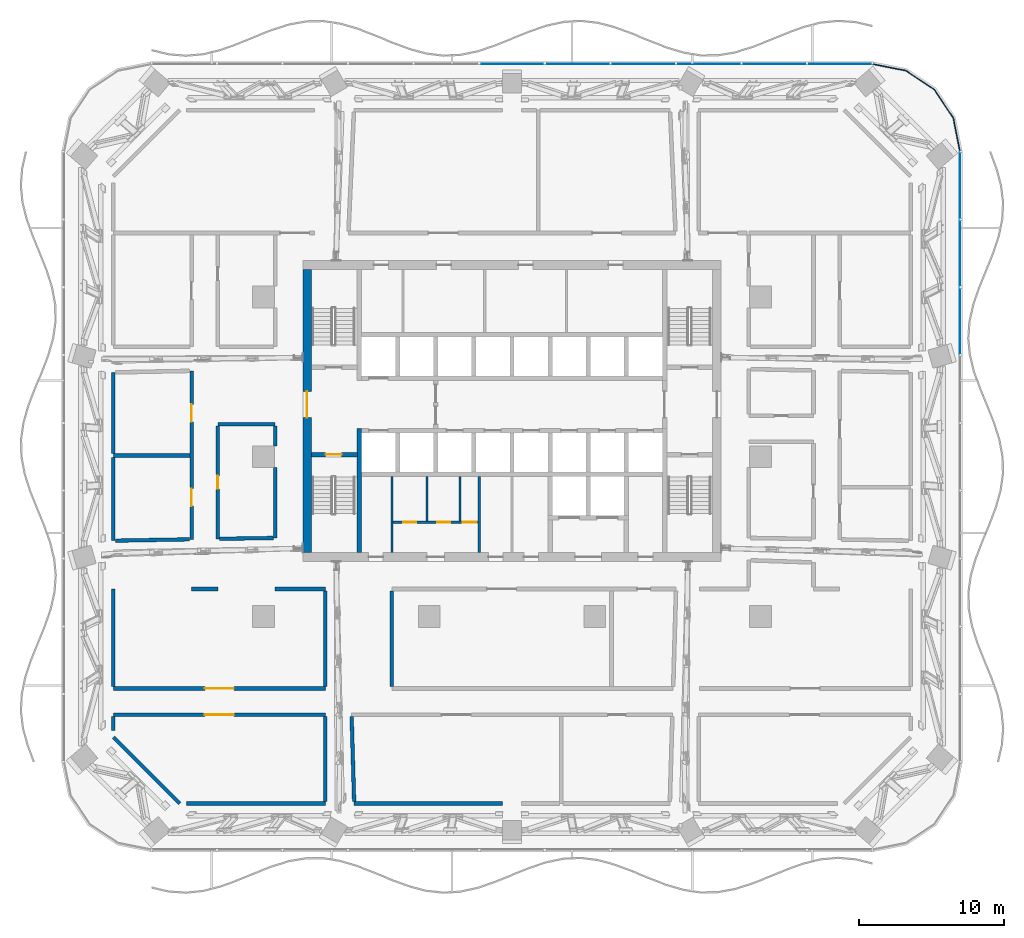
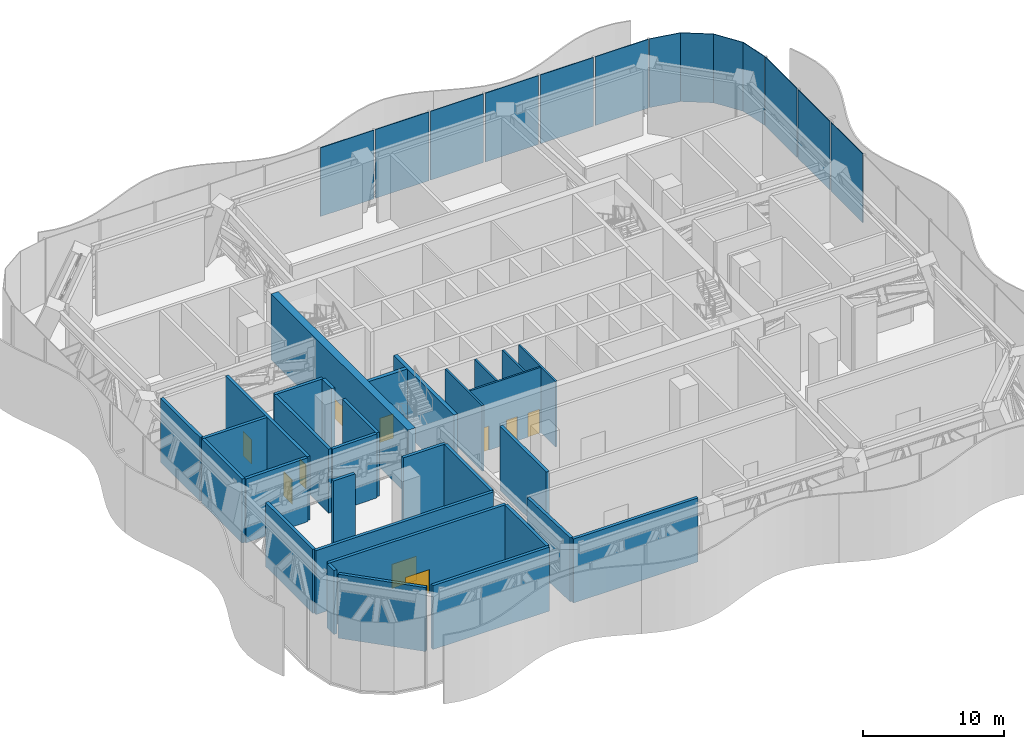
# One storey, part 10 of 32: 31 walls, 10 doors, 10 plates, 10 openings, 3 elements without a shape of their own.
"""IFC4 building model written with IfcOpenShell, lengths in metres."""

from ifc_helpers import new_model, si_unit, direction, frame, frame_2d, origin, origin_2d, place, context, subcontext, project, spatial, polyline, rectangle, outline, extrude, material, layer, layer_set, type_object, element, fill, aggregate, save


model = new_model("IFC4")

# Units and contexts
model_context = context("Model", 3, precision=1e-05, world=origin(), true_north=direction((0.0, 1.0)))
body_context = subcontext(model_context, "Body", "Model", "MODEL_VIEW")
ifc_project = project(units=[si_unit("LENGTHUNIT", "METRE"), si_unit("AREAUNIT", "SQUARE_METRE"), si_unit("VOLUMEUNIT", "CUBIC_METRE"), si_unit("PLANEANGLEUNIT", "RADIAN"), si_unit("MASSUNIT", "GRAM", prefix="KILO")], contexts=[model_context])

# Site, building, storey
site_placement = place(None, origin())
site = spatial("IfcSite", under=ifc_project, at=site_placement, CompositionType="ELEMENT")
building_placement = place(site_placement, origin())
building = spatial("IfcBuilding", under=site, at=building_placement, Name="Mopane Tessera Tower", CompositionType="ELEMENT")
storey_placement = place(building_placement, frame((0.0, 0.0, 88.60009765625)))
storey = spatial("IfcBuildingStorey", under=building, at=storey_placement, Name="L17", CompositionType="ELEMENT", Elevation=88.60009765625)

# Curtain wall, plates
ifc_material_1 = material(Name="Aluminium frame", Category="aluminium")
curtain_wall_type = type_object("IfcCurtainWallType", Name="Plant floor unitised wall", PredefinedType="NOTDEFINED", material=ifc_material_1)
curtain_wall_1_placement = place(storey_placement, origin())
curtain_wall_1 = element("IfcCurtainWall", 1, at=curtain_wall_1_placement, inside=storey, type_object=curtain_wall_type, Name="e:cw:L17:E:0", PredefinedType="NOTDEFINED")
ifc_material_2 = material(Name="Limestone spandrel", Category="masonry")
ifc_layer_1 = layer(ifc_material_2, 0.06005859375)
ifc_layer_set_1 = layer_set([ifc_layer_1], Name="Limestone spandrel")
plate_type = type_object("IfcPlateType", Name="Stone spandrel unit", PredefinedType="CURTAIN_PANEL", material=ifc_layer_set_1)
plate_1_placement = place(storey_placement, frame((30.830078125, 9.333251953125, -0.419921875), z_axis=(0.0, 0.0, 1.0), x_axis=(0.0, 1.0, 0.0)))
plate_1 = element("IfcPlate", 2, at=plate_1_placement, type_object=plate_type, Name="e:cw:L17:E:0:pn6", PredefinedType="CURTAIN_PANEL", context=body_context, shape_type="SweptSolid", body=[
    extrude(rectangle(XDim=4.526611328125, YDim=0.06005859375, at=origin_2d()), origin(), (0.0, 0.0, 1.0), 5.969970703125),
])
plate_2_placement = place(storey_placement, frame((30.830078125, 14.0, -0.419921875), z_axis=(0.0, 0.0, 1.0), x_axis=(0.0, 1.0, 0.0)))
plate_2 = element("IfcPlate", 3, at=plate_2_placement, type_object=plate_type, Name="e:cw:L17:E:0:pn7", PredefinedType="CURTAIN_PANEL", context=body_context, shape_type="SweptSolid", body=[
    extrude(rectangle(XDim=4.526611328125, YDim=0.06005859375, at=origin_2d()), origin(), (0.0, 0.0, 1.0), 5.969970703125),
])
plate_3_placement = place(storey_placement, frame((30.830078125, 18.666748046875, -0.419921875), z_axis=(0.0, 0.0, 1.0), x_axis=(0.0, 1.0, 0.0)))
plate_3 = element("IfcPlate", 4, at=plate_3_placement, type_object=plate_type, Name="e:cw:L17:E:0:pn8", PredefinedType="CURTAIN_PANEL", context=body_context, shape_type="SweptSolid", body=[
    extrude(rectangle(XDim=4.526611328125, YDim=0.06005859375, at=origin_2d()), origin(), (0.0, 0.0, 1.0), 5.969970703125),
])
aggregate(curtain_wall_1, [plate_1, plate_2, plate_3])

# Curtain wall, plate
curtain_wall_2_placement = place(storey_placement, origin())
curtain_wall_2 = element("IfcCurtainWall", 5, at=curtain_wall_2_placement, inside=storey, type_object=curtain_wall_type, Name="e:cw:L17:CE", PredefinedType="NOTDEFINED")
plate_4_placement = place(storey_placement, frame((0.0, 0.0, -0.420166015625)))
plate_4 = element("IfcPlate", 6, at=plate_4_placement, type_object=plate_type, Name="e:cw:L17:CE:pn", PredefinedType="CURTAIN_PANEL", context=body_context, shape_type="SweptSolid", body=[
    extrude(outline(polyline([(30.800048828125, 21.0), (30.34326171875, 23.296142578125), (29.042724609375, 25.24267578125), (27.09619140625, 26.543212890625), (24.800048828125, 27.0), (24.800048828125, 27.06005859375), (27.119140625, 26.5986328125), (29.0849609375, 25.28515625), (30.398681640625, 23.319091796875), (30.860107421875, 21.0), (30.800048828125, 21.0)])), origin(), (0.0, 0.0, 1.0), 5.969970703125),
])
aggregate(curtain_wall_2, [plate_4])

# Curtain wall, plates
curtain_wall_3_placement = place(storey_placement, origin())
curtain_wall_3 = element("IfcCurtainWall", 7, at=curtain_wall_3_placement, inside=storey, type_object=curtain_wall_type, Name="e:cw:L17:N:0", PredefinedType="NOTDEFINED")
plate_5_placement = place(storey_placement, frame((22.54541015625, 27.030029296875, -0.419921875), z_axis=(0.0, 0.0, 1.0), x_axis=(-1.0, 0.0, 0.0)))
plate_5 = element("IfcPlate", 8, at=plate_5_placement, type_object=plate_type, Name="e:cw:L17:N:0:pn0", PredefinedType="CURTAIN_PANEL", context=body_context, shape_type="SweptSolid", body=[
    extrude(rectangle(XDim=4.369140625, YDim=0.06005859375, at=origin_2d()), origin(), (0.0, 0.0, 1.0), 5.969970703125),
])
plate_6_placement = place(storey_placement, frame((18.036376953125, 27.030029296875, -0.419921875), z_axis=(0.0, 0.0, 1.0), x_axis=(-1.0, 0.0, 0.0)))
plate_6 = element("IfcPlate", 9, at=plate_6_placement, type_object=plate_type, Name="e:cw:L17:N:0:pn1", PredefinedType="CURTAIN_PANEL", context=body_context, shape_type="SweptSolid", body=[
    extrude(rectangle(XDim=4.369140625, YDim=0.06005859375, at=origin_2d()), origin(), (0.0, 0.0, 1.0), 5.969970703125),
])
plate_7_placement = place(storey_placement, frame((13.52734375, 27.030029296875, -0.419921875), z_axis=(0.0, 0.0, 1.0), x_axis=(-1.0, 0.0, 0.0)))
plate_7 = element("IfcPlate", 10, at=plate_7_placement, type_object=plate_type, Name="e:cw:L17:N:0:pn2", PredefinedType="CURTAIN_PANEL", context=body_context, shape_type="SweptSolid", body=[
    extrude(rectangle(XDim=4.369140625, YDim=0.06005859375, at=origin_2d()), origin(), (0.0, 0.0, 1.0), 5.969970703125),
])
plate_8_placement = place(storey_placement, frame((9.01806640625, 27.030029296875, -0.419921875), z_axis=(0.0, 0.0, 1.0), x_axis=(-1.0, 0.0, 0.0)))
plate_8 = element("IfcPlate", 11, at=plate_8_placement, type_object=plate_type, Name="e:cw:L17:N:0:pn3", PredefinedType="CURTAIN_PANEL", context=body_context, shape_type="SweptSolid", body=[
    extrude(rectangle(XDim=4.369140625, YDim=0.06005859375, at=origin_2d()), origin(), (0.0, 0.0, 1.0), 5.969970703125),
])
plate_9_placement = place(storey_placement, frame((4.509033203125, 27.030029296875, -0.419921875), z_axis=(0.0, 0.0, 1.0), x_axis=(-1.0, 0.0, 0.0)))
plate_9 = element("IfcPlate", 12, at=plate_9_placement, type_object=plate_type, Name="e:cw:L17:N:0:pn4", PredefinedType="CURTAIN_PANEL", context=body_context, shape_type="SweptSolid", body=[
    extrude(rectangle(XDim=4.369140625, YDim=0.06005859375, at=origin_2d()), origin(), (0.0, 0.0, 1.0), 5.969970703125),
])
plate_10_placement = place(storey_placement, frame((0.0, 27.030029296875, -0.419921875), z_axis=(0.0, 0.0, 1.0), x_axis=(-1.0, 0.0, 0.0)))
plate_10 = element("IfcPlate", 13, at=plate_10_placement, type_object=plate_type, Name="e:cw:L17:N:0:pn5", PredefinedType="CURTAIN_PANEL", context=body_context, shape_type="SweptSolid", body=[
    extrude(rectangle(XDim=4.369140625, YDim=0.06005859375, at=origin_2d()), origin(), (0.0, 0.0, 1.0), 5.969970703125),
])
aggregate(curtain_wall_3, [plate_5, plate_6, plate_7, plate_8, plate_9, plate_10])

# Wall
ifc_material_3 = material(Name="Fire-rated gypsum board partition")
ifc_layer_2 = layer(ifc_material_3, 0.14990234375)
ifc_layer_set_2 = layer_set([ifc_layer_2], Name="Fire-rated gypsum board partition")
wall_type_1 = type_object("IfcWallType", Name="Core room partition 150 mm", PredefinedType="PARTITIONING", material=ifc_layer_set_2)
wall_1_placement = place(storey_placement, frame((-8.25, -6.60009765625, 0.0), z_axis=(0.0, 0.0, 1.0), x_axis=(0.0, 1.0, 0.0)))
element("IfcWall", 14, at=wall_1_placement, inside=storey, type_object=wall_type_1, Name="L17 Room partition", PredefinedType="PARTITIONING", context=body_context, shape_type="SweptSolid", body=[
    extrude(rectangle(XDim=5.25, YDim=0.14990234375, at=frame_2d((2.625, 0.0))), origin(), (0.0, 0.0, 1.0), 5.699951171875),
])

# Wall, openings, doors
wall_2_placement = place(storey_placement, frame((-8.175048828125, -4.5, 0.0), z_axis=(0.0, 0.0, 1.0), x_axis=(1.0, 0.0, 0.0)))
wall_2 = element("IfcWall", 15, at=wall_2_placement, inside=storey, type_object=wall_type_1, Name="L17 WC partition", PredefinedType="PARTITIONING", context=body_context, shape_type="SweptSolid", body=[
    extrude(rectangle(XDim=5.85009765625, YDim=0.14990234375, at=frame_2d((2.925048828125, 0.0))), origin(), (0.0, 0.0, 1.0), 5.699951171875),
])
opening_1_placement = place(wall_2_placement, frame((0.675048828125, 0.0, 0.0)))
opening_1 = element("IfcOpeningElement", 16, at=opening_1_placement, cuts=wall_2, Name="Opening WD1", PredefinedType="OPENING", context=body_context, shape_type="SweptSolid", body=[
    extrude(rectangle(XDim=0.89990234375, YDim=2.10009765625, at=frame_2d((0.449951171875, 1.050048828125))), frame((0.0, 0.0869140625, 0.0), z_axis=(0.0, -1.0, 0.0), x_axis=(1.0, 0.0, 0.0)), (0.0, 0.0, 1.0), 0.173828125),
])
opening_2_placement = place(wall_2_placement, frame((3.014892578125, 0.0, 0.0)))
opening_2 = element("IfcOpeningElement", 17, at=opening_2_placement, cuts=wall_2, Name="Opening WD1", PredefinedType="OPENING", context=body_context, shape_type="SweptSolid", body=[
    extrude(rectangle(XDim=0.89990234375, YDim=2.10009765625, at=frame_2d((0.449951171875, 1.050048828125))), frame((0.0, 0.0869140625, 0.0), z_axis=(0.0, -1.0, 0.0), x_axis=(1.0, 0.0, 0.0)), (0.0, 0.0, 1.0), 0.173828125),
])
opening_3_placement = place(wall_2_placement, frame((4.7900390625, 0.0, 0.0)))
opening_3 = element("IfcOpeningElement", 18, at=opening_3_placement, cuts=wall_2, Name="Opening WD2", PredefinedType="OPENING", context=body_context, shape_type="SweptSolid", body=[
    extrude(rectangle(XDim=0.949951171875, YDim=2.10009765625, at=frame_2d((0.47509765625, 1.050048828125))), frame((0.0, 0.0869140625, 0.0), z_axis=(0.0, -1.0, 0.0), x_axis=(1.0, 0.0, 0.0)), (0.0, 0.0, 1.0), 0.173828125),
])
ifc_material_4 = material(Name="Timber door", Category="wood")
door_type_1 = type_object("IfcDoorType", Name="Accessible WC door 950 x 2100", OperationType="SINGLE_SWING_LEFT", PredefinedType="DOOR", material=ifc_material_4)
door_1_placement = place(opening_3_placement, origin())
door_1 = element("IfcDoor", 19, at=door_1_placement, inside=storey, type_object=door_type_1, Name="L17 Accessible WC door", OperationType="SINGLE_SWING_LEFT", OverallHeight=2.10009765625, OverallWidth=0.949951171875, PredefinedType="DOOR", context=body_context, shape_type="SweptSolid", body=[
    extrude(rectangle(XDim=0.949951171875, YDim=2.10009765625, at=frame_2d((0.47509765625, 1.050048828125))), frame((0.0, 0.02490234375, 0.0), z_axis=(0.0, -1.0, 0.0), x_axis=(1.0, 0.0, 0.0)), (0.0, 0.0, 1.0), 0.050048828125),
])
fill(opening_3, door_1)
ifc_material_5 = material(Name="Timber door", Category="wood")
door_type_2 = type_object("IfcDoorType", Name="WC cubicle door 900 x 2100", OperationType="SINGLE_SWING_LEFT", PredefinedType="DOOR", material=ifc_material_5)
door_2_placement = place(opening_1_placement, origin())
door_2 = element("IfcDoor", 20, at=door_2_placement, inside=storey, type_object=door_type_2, Name="L17 Men's WC door", OperationType="SINGLE_SWING_LEFT", OverallHeight=2.10009765625, OverallWidth=0.89990234375, PredefinedType="DOOR", context=body_context, shape_type="SweptSolid", body=[
    extrude(rectangle(XDim=0.89990234375, YDim=2.10009765625, at=frame_2d((0.449951171875, 1.050048828125))), frame((0.0, 0.02490234375, 0.0), z_axis=(0.0, -1.0, 0.0), x_axis=(1.0, 0.0, 0.0)), (0.0, 0.0, 1.0), 0.050048828125),
])
fill(opening_1, door_2)
door_3_placement = place(opening_2_placement, origin())
door_3 = element("IfcDoor", 21, at=door_3_placement, inside=storey, type_object=door_type_2, Name="L17 Women's WC door", OperationType="SINGLE_SWING_LEFT", OverallHeight=2.10009765625, OverallWidth=0.89990234375, PredefinedType="DOOR", context=body_context, shape_type="SweptSolid", body=[
    extrude(rectangle(XDim=0.89990234375, YDim=2.10009765625, at=frame_2d((0.449951171875, 1.050048828125))), frame((0.0, 0.02490234375, 0.0), z_axis=(0.0, -1.0, 0.0), x_axis=(1.0, 0.0, 0.0)), (0.0, 0.0, 1.0), 0.050048828125),
])
fill(opening_2, door_3)

# Walls
for number, where, z_axis, x_axis, name in (
    (22, (-5.85009765625, -4.425048828125, 0.0), (0.0, 0.0, 1.0), (0.0, 1.0, 0.0), "L17 WC partition"),
    (23, (-3.570068359375, -4.425048828125, 0.0), (0.0, 0.0, 1.0), (0.0, 1.0, 0.0), "L17 WC partition"),
):
    element("IfcWall", number, at=place(storey_placement, frame(where, z_axis=z_axis, x_axis=x_axis)), inside=storey, type_object=wall_type_1, Name=name, PredefinedType="PARTITIONING", context=body_context, shape_type="SweptSolid", body=[
        extrude(rectangle(XDim=3.074951171875, YDim=0.14990234375, at=frame_2d((1.53759765625, 0.0))), origin(), (0.0, 0.0, 1.0), 5.699951171875),
    ])
wall_3_placement = place(storey_placement, frame((-2.25, -6.60009765625, 0.0), z_axis=(0.0, 0.0, 1.0), x_axis=(0.0, 1.0, 0.0)))
element("IfcWall", 24, at=wall_3_placement, inside=storey, type_object=wall_type_1, Name="L17 Room partition", PredefinedType="PARTITIONING", context=body_context, shape_type="SweptSolid", body=[
    extrude(rectangle(XDim=5.25, YDim=0.14990234375, at=frame_2d((2.625, 0.0))), origin(), (0.0, 0.0, 1.0), 5.699951171875),
])

# Wall, opening, door
ifc_material_6 = material(Name="Concrete C70/85", Category="concrete")
ifc_layer_3 = layer(ifc_material_6, 0.60009765625)
ifc_layer_set_3 = layer_set([ifc_layer_3], Name="Concrete C70/85")
wall_type_2 = type_object("IfcWallType", Name="Core shear wall 600 mm", PredefinedType="SHEAR", material=ifc_layer_set_3)
wall_4_placement = place(storey_placement, frame((-14.10009765625, -6.60009765625, 0.0), z_axis=(0.0, 0.0, 1.0), x_axis=(0.0, 1.0, 0.0)))
wall_4 = element("IfcWall", 25, at=wall_4_placement, inside=storey, type_object=wall_type_2, Name="L17 Core wall west", PredefinedType="SHEAR", context=body_context, shape_type="SweptSolid", body=[
    extrude(rectangle(XDim=19.5, YDim=0.60009765625, at=frame_2d((9.75, 0.0))), origin(), (0.0, 0.0, 1.0), 5.699951171875),
])
opening_4_placement = place(wall_4_placement, frame((9.300048828125, 0.0, 0.0)))
opening_4 = element("IfcOpeningElement", 26, at=opening_4_placement, cuts=wall_4, Name="Opening SD2", PredefinedType="OPENING", context=body_context, shape_type="SweptSolid", body=[
    extrude(rectangle(XDim=1.800048828125, YDim=2.10009765625, at=frame_2d((0.89990234375, 1.050048828125))), frame((0.0, 0.31201171875, 0.0), z_axis=(0.0, -1.0, 0.0), x_axis=(1.0, 0.0, 0.0)), (0.0, 0.0, 1.0), 0.6240234375),
])
ifc_material_7 = material(Name="Steel fire door", Category="steel")
door_type_3 = type_object("IfcDoorType", Name="Core entrance double door 1800 x 2100", OperationType="DOUBLE_DOOR_SINGLE_SWING", PredefinedType="DOOR", material=ifc_material_7)
door_4_placement = place(opening_4_placement, origin())
door_4 = element("IfcDoor", 27, at=door_4_placement, inside=storey, type_object=door_type_3, Name="L17 Core entrance door west", OperationType="DOUBLE_DOOR_SINGLE_SWING", OverallHeight=2.10009765625, OverallWidth=1.800048828125, PredefinedType="DOOR", context=body_context, shape_type="SweptSolid", body=[
    extrude(rectangle(XDim=1.800048828125, YDim=2.10009765625, at=frame_2d((0.89990234375, 1.050048828125))), frame((0.0, 0.02490234375, 0.0), z_axis=(0.0, -1.0, 0.0), x_axis=(1.0, 0.0, 0.0)), (0.0, 0.0, 1.0), 0.050048828125),
])
fill(opening_4, door_4)

# Wall
ifc_material_8 = material(Name="Concrete C60/75", Category="concrete")
ifc_layer_4 = layer(ifc_material_8, 0.300048828125)
ifc_layer_set_4 = layer_set([ifc_layer_4], Name="Concrete C60/75")
wall_type_3 = type_object("IfcWallType", Name="Core spine wall 300 mm", PredefinedType="SHEAR", material=ifc_layer_set_4)
wall_5_placement = place(storey_placement, frame((-10.5, -6.60009765625, 0.0), z_axis=(0.0, 0.0, 1.0), x_axis=(0.0, 1.0, 0.0)))
element("IfcWall", 28, at=wall_5_placement, inside=storey, type_object=wall_type_3, Name="L17 Core spine wall", PredefinedType="SHEAR", context=body_context, shape_type="SweptSolid", body=[
    extrude(rectangle(XDim=8.550048828125, YDim=0.300048828125, at=frame_2d((4.27490234375, 0.0))), origin(), (0.0, 0.0, 1.0), 5.699951171875),
])

# Wall, opening, door
ifc_material_9 = material(Name="Concrete C50/60", Category="concrete")
ifc_layer_5 = layer(ifc_material_9, 0.300048828125)
ifc_layer_set_5 = layer_set([ifc_layer_5], Name="Concrete C50/60")
wall_type_4 = type_object("IfcWallType", Name="Lift and stair shaft wall 300 mm", PredefinedType="SOLIDWALL", material=ifc_layer_set_5)
wall_6_placement = place(storey_placement, frame((-13.800048828125, 0.14990234375, 0.0), z_axis=(0.0, 0.0, 1.0), x_axis=(1.0, 0.0, 0.0)))
wall_6 = element("IfcWall", 29, at=wall_6_placement, inside=storey, type_object=wall_type_4, Name="L17 Stair enclosure wall", PredefinedType="SOLIDWALL", context=body_context, shape_type="SweptSolid", body=[
    extrude(rectangle(XDim=3.150146484375, YDim=0.300048828125, at=frame_2d((1.5751953125, 0.0))), origin(), (0.0, 0.0, 1.0), 5.699951171875),
])
opening_5_placement = place(wall_6_placement, frame((0.97509765625, 0.0, 0.0)))
opening_5 = element("IfcOpeningElement", 30, at=opening_5_placement, cuts=wall_6, Name="Opening SD1", PredefinedType="OPENING", context=body_context, shape_type="SweptSolid", body=[
    extrude(rectangle(XDim=1.10009765625, YDim=2.10009765625, at=frame_2d((0.550048828125, 1.050048828125))), frame((0.0, 0.162109375, 0.0), z_axis=(0.0, -1.0, 0.0), x_axis=(1.0, 0.0, 0.0)), (0.0, 0.0, 1.0), 0.323974609375),
])
ifc_material_10 = material(Name="Steel fire door", Category="steel")
door_type_4 = type_object("IfcDoorType", Name="Stair fire door 1100 x 2100", OperationType="SINGLE_SWING_LEFT", PredefinedType="DOOR", material=ifc_material_10)
door_5_placement = place(opening_5_placement, origin())
door_5 = element("IfcDoor", 31, at=door_5_placement, inside=storey, type_object=door_type_4, Name="L17 Stair door ST1", OperationType="SINGLE_SWING_LEFT", OverallHeight=2.10009765625, OverallWidth=1.10009765625, PredefinedType="DOOR", context=body_context, shape_type="SweptSolid", body=[
    extrude(rectangle(XDim=1.10009765625, YDim=2.10009765625, at=frame_2d((0.550048828125, 1.050048828125))), frame((0.0, 0.02490234375, 0.0), z_axis=(0.0, -1.0, 0.0), x_axis=(1.0, 0.0, 0.0)), (0.0, 0.0, 1.0), 0.050048828125),
])
fill(opening_5, door_5)

# Walls
ifc_material_11 = material(Name="Plastered concrete blockwork C20/25", Category="masonry")
ifc_layer_6 = layer(ifc_material_11, 0.25)
ifc_layer_set_6 = layer_set([ifc_layer_6], Name="Plastered concrete blockwork C20/25")
wall_type_5 = type_object("IfcWallType", Name="Plastered blockwork wall 250, rated EI 120", PredefinedType="PARTITIONING", material=ifc_layer_set_6)
wall_7_placement = place(storey_placement, frame((-22.39990234375, -23.860107421875, 0.0), z_axis=(0.0, 0.0, 1.0), x_axis=(1.0, 0.0, 0.0)))
element("IfcWall", 32, at=wall_7_placement, inside=storey, type_object=wall_type_5, Name="Partition L17:000", PredefinedType="PARTITIONING", context=body_context, shape_type="SweptSolid", body=[
    extrude(rectangle(XDim=9.554931640625, YDim=0.25, at=frame_2d((4.77734375, 0.0))), origin(), (0.0, 0.0, 1.0), 5.5498046875),
])
wall_8_placement = place(storey_placement, frame((-10.860107421875, -23.860107421875, 0.0), z_axis=(0.0, 0.0, 1.0), x_axis=(1.0, 0.0, 0.0)))
element("IfcWall", 33, at=wall_8_placement, inside=storey, type_object=wall_type_5, Name="Partition L17:001", PredefinedType="PARTITIONING", context=body_context, shape_type="SweptSolid", body=[
    extrude(rectangle(XDim=10.210205078125, YDim=0.25, at=frame_2d((5.10498046875, 0.0))), origin(), (0.0, 0.0, 1.0), 5.5498046875),
])

# Wall, opening, door
wall_9_placement = place(storey_placement, frame((-27.429931640625, -17.75, 0.0), z_axis=(0.0, 0.0, 1.0), x_axis=(1.0, 0.0, 0.0)))
wall_9 = element("IfcWall", 34, at=wall_9_placement, inside=storey, type_object=wall_type_5, Name="Partition L17:005", PredefinedType="PARTITIONING", context=body_context, shape_type="SweptSolid", body=[
    extrude(rectangle(XDim=14.5849609375, YDim=0.25, at=frame_2d((7.29248046875, 0.0))), origin(), (0.0, 0.0, 1.0), 5.5498046875),
])
opening_6_placement = place(wall_9_placement, frame((6.29248046875, 0.0, 0.0)))
opening_6 = element("IfcOpeningElement", 35, at=opening_6_placement, cuts=wall_9, Name="Opening L17-16", PredefinedType="OPENING", context=body_context, shape_type="SweptSolid", body=[
    extrude(rectangle(XDim=2.0, YDim=2.10009765625, at=frame_2d((1.0, 1.050048828125))), frame((0.0, 0.136962890625, 0.0), z_axis=(0.0, -1.0, 0.0), x_axis=(1.0, 0.0, 0.0)), (0.0, 0.0, 1.0), 0.27392578125),
])
ifc_material_12 = material(Name="Timber veneered steel-framed fire door", Category="steel")
door_type_5 = type_object("IfcDoorType", Name="Fire door pair FD120 2000 x 2100", OperationType="DOUBLE_DOOR_SINGLE_SWING", PredefinedType="DOOR", material=ifc_material_12)
door_6_placement = place(opening_6_placement, origin())
door_6 = element("IfcDoor", 36, at=door_6_placement, inside=storey, type_object=door_type_5, Name="Door L17-16", ObjectType="D25B", OperationType="DOUBLE_DOOR_SINGLE_SWING", OverallHeight=2.10009765625, OverallWidth=2.0, PredefinedType="DOOR", context=body_context, shape_type="SweptSolid", body=[
    extrude(rectangle(XDim=2.0, YDim=2.10009765625, at=frame_2d((1.0, 1.050048828125))), frame((0.0, 0.02490234375, 0.0), z_axis=(0.0, -1.0, 0.0), x_axis=(1.0, 0.0, 0.0)), (0.0, 0.0, 1.0), 0.050048828125),
])
fill(opening_6, door_6)

wall_10_placement = place(storey_placement, frame((-27.429931640625, -15.949951171875, 0.0), z_axis=(0.0, 0.0, 1.0), x_axis=(1.0, 0.0, 0.0)))
wall_10 = element("IfcWall", 37, at=wall_10_placement, inside=storey, type_object=wall_type_5, Name="Partition L17:008", PredefinedType="PARTITIONING", context=body_context, shape_type="SweptSolid", body=[
    extrude(rectangle(XDim=14.5849609375, YDim=0.25, at=frame_2d((7.29248046875, 0.0))), origin(), (0.0, 0.0, 1.0), 5.5498046875),
])
opening_7_placement = place(wall_10_placement, frame((6.29248046875, 0.0, 0.0)))
opening_7 = element("IfcOpeningElement", 38, at=opening_7_placement, cuts=wall_10, Name="Opening L17-08", PredefinedType="OPENING", context=body_context, shape_type="SweptSolid", body=[
    extrude(rectangle(XDim=2.0, YDim=2.10009765625, at=frame_2d((1.0, 1.050048828125))), frame((0.0, 0.136962890625, 0.0), z_axis=(0.0, -1.0, 0.0), x_axis=(1.0, 0.0, 0.0)), (0.0, 0.0, 1.0), 0.27392578125),
])
door_7_placement = place(opening_7_placement, origin())
door_7 = element("IfcDoor", 39, at=door_7_placement, inside=storey, type_object=door_type_5, Name="Door L17-08", ObjectType="D25B", OperationType="DOUBLE_DOOR_SINGLE_SWING", OverallHeight=2.10009765625, OverallWidth=2.0, PredefinedType="DOOR", context=body_context, shape_type="SweptSolid", body=[
    extrude(rectangle(XDim=2.0, YDim=2.10009765625, at=frame_2d((1.0, 1.050048828125))), frame((0.0, 0.02490234375, 0.0), z_axis=(0.0, -1.0, 0.0), x_axis=(1.0, 0.0, 0.0)), (0.0, 0.0, 1.0), 0.050048828125),
])
fill(opening_7, door_7)

# Walls
wall_11_placement = place(storey_placement, frame((-22.050048828125, -9.10009765625, 0.0), z_axis=(0.0, 0.0, 1.0), x_axis=(1.0, 0.0, 0.0)))
element("IfcWall", 40, at=wall_11_placement, inside=storey, type_object=wall_type_5, Name="Partition L17:011", PredefinedType="PARTITIONING", context=body_context, shape_type="SweptSolid", body=[
    extrude(rectangle(XDim=1.800048828125, YDim=0.25, at=frame_2d((0.89990234375, 0.0))), origin(), (0.0, 0.0, 1.0), 5.5498046875),
])
wall_12_placement = place(storey_placement, frame((-16.300048828125, -9.10009765625, 0.0), z_axis=(0.0, 0.0, 1.0), x_axis=(1.0, 0.0, 0.0)))
element("IfcWall", 41, at=wall_12_placement, inside=storey, type_object=wall_type_5, Name="Partition L17:012", PredefinedType="PARTITIONING", context=body_context, shape_type="SweptSolid", body=[
    extrude(rectangle(XDim=3.455078125, YDim=0.25, at=frame_2d((1.7275390625, 0.0))), origin(), (0.0, 0.0, 1.0), 5.5498046875),
])
wall_13_placement = place(storey_placement, frame((-27.429931640625, 0.090087890625, 0.0), z_axis=(0.0, 0.0, 1.0), x_axis=(1.0, 0.0, 0.0)))
element("IfcWall", 42, at=wall_13_placement, inside=storey, type_object=wall_type_5, Name="Partition L17:017", PredefinedType="PARTITIONING", context=body_context, shape_type="SweptSolid", body=[
    extrude(rectangle(XDim=5.2548828125, YDim=0.25, at=frame_2d((2.62744140625, 0.0))), origin(), (0.0, 0.0, 1.0), 5.5498046875),
])
wall_14_placement = place(storey_placement, frame((-20.25, 2.25, 0.0), z_axis=(0.0, 0.0, 1.0), x_axis=(1.0, 0.0, 0.0)))
element("IfcWall", 43, at=wall_14_placement, inside=storey, type_object=wall_type_5, Name="Partition L17:019", PredefinedType="PARTITIONING", context=body_context, shape_type="SweptSolid", body=[
    extrude(rectangle(XDim=3.949951171875, YDim=0.25, at=frame_2d((1.97509765625, 0.0))), origin(), (0.0, 0.0, 1.0), 5.5498046875),
])
wall_15_placement = place(storey_placement, frame((-27.429931640625, -18.85009765625, 0.0), z_axis=(0.0, 0.0, 1.0), x_axis=(0.0, 1.0, 0.0)))
element("IfcWall", 44, at=wall_15_placement, inside=storey, type_object=wall_type_5, Name="Partition L17:034", PredefinedType="PARTITIONING", context=body_context, shape_type="SweptSolid", body=[
    extrude(rectangle(XDim=0.97509765625, YDim=0.25, at=frame_2d((0.487548828125, 0.0))), origin(), (0.0, 0.0, 1.0), 5.5498046875),
])
wall_16_placement = place(storey_placement, frame((-27.429931640625, -15.824951171875, 0.0), z_axis=(0.0, 0.0, 1.0), x_axis=(0.0, 1.0, 0.0)))
element("IfcWall", 45, at=wall_16_placement, inside=storey, type_object=wall_type_5, Name="Partition L17:035", PredefinedType="PARTITIONING", context=body_context, shape_type="SweptSolid", body=[
    extrude(rectangle(XDim=6.724853515625, YDim=0.25, at=frame_2d((3.3623046875, 0.0))), origin(), (0.0, 0.0, 1.0), 5.5498046875),
])
wall_17_placement = place(storey_placement, frame((-27.429931640625, -5.77490234375, 0.0), z_axis=(0.0, 0.0, 1.0), x_axis=(0.0, 1.0, 0.0)))
element("IfcWall", 46, at=wall_17_placement, inside=storey, type_object=wall_type_5, Name="Partition L17:036", PredefinedType="PARTITIONING", context=body_context, shape_type="SweptSolid", body=[
    extrude(rectangle(XDim=5.739990234375, YDim=0.25, at=frame_2d((2.8701171875, 0.0))), origin(), (0.0, 0.0, 1.0), 5.5498046875),
])
wall_18_placement = place(storey_placement, frame((-27.429931640625, 0.215087890625, 0.0), z_axis=(0.0, 0.0, 1.0), x_axis=(0.0, 1.0, 0.0)))
element("IfcWall", 47, at=wall_18_placement, inside=storey, type_object=wall_type_5, Name="Partition L17:037", PredefinedType="PARTITIONING", context=body_context, shape_type="SweptSolid", body=[
    extrude(rectangle(XDim=5.58984375, YDim=0.25, at=frame_2d((2.794921875, 0.0))), origin(), (0.0, 0.0, 1.0), 5.5498046875),
])

# Wall, openings, doors
wall_19_placement = place(storey_placement, frame((-22.050048828125, -5.679931640625, 0.0), z_axis=(0.0, 0.0, 1.0), x_axis=(0.0, 1.0, 0.0)))
wall_19 = element("IfcWall", 48, at=wall_19_placement, inside=storey, type_object=wall_type_5, Name="Partition L17:040", PredefinedType="PARTITIONING", context=body_context, shape_type="SweptSolid", body=[
    extrude(rectangle(XDim=11.594970703125, YDim=0.25, at=frame_2d((5.79736328125, 0.0))), origin(), (0.0, 0.0, 1.0), 5.5498046875),
])
opening_8_placement = place(wall_19_placement, frame((8.08251953125, 0.0, 0.0)))
opening_8 = element("IfcOpeningElement", 49, at=opening_8_placement, cuts=wall_19, Name="Opening L17-02", PredefinedType="OPENING", context=body_context, shape_type="SweptSolid", body=[
    extrude(rectangle(XDim=1.199951171875, YDim=2.10009765625, at=frame_2d((0.60009765625, 1.050048828125))), frame((0.0, 0.136962890625, 0.0), z_axis=(0.0, -1.0, 0.0), x_axis=(1.0, 0.0, 0.0)), (0.0, 0.0, 1.0), 0.27392578125),
])
opening_9_placement = place(wall_19_placement, frame((2.284912109375, 0.0, 0.0)))
opening_9 = element("IfcOpeningElement", 50, at=opening_9_placement, cuts=wall_19, Name="Opening L17-15", PredefinedType="OPENING", context=body_context, shape_type="SweptSolid", body=[
    extrude(rectangle(XDim=1.199951171875, YDim=2.10009765625, at=frame_2d((0.60009765625, 1.050048828125))), frame((0.0, 0.136962890625, 0.0), z_axis=(0.0, -1.0, 0.0), x_axis=(1.0, 0.0, 0.0)), (0.0, 0.0, 1.0), 0.27392578125),
])
ifc_material_13 = material(Name="Timber veneered steel-framed fire door", Category="steel")
door_type_6 = type_object("IfcDoorType", Name="Fire door FD120 1200 x 2100", OperationType="SINGLE_SWING_LEFT", PredefinedType="DOOR", material=ifc_material_13)
door_8_placement = place(opening_8_placement, origin())
door_8 = element("IfcDoor", 51, at=door_8_placement, inside=storey, type_object=door_type_6, Name="Door L17-02", ObjectType="D15B", OperationType="SINGLE_SWING_RIGHT", OverallHeight=2.10009765625, OverallWidth=1.199951171875, PredefinedType="DOOR", context=body_context, shape_type="SweptSolid", body=[
    extrude(rectangle(XDim=1.199951171875, YDim=2.10009765625, at=frame_2d((0.60009765625, 1.050048828125))), frame((0.0, 0.02490234375, 0.0), z_axis=(0.0, -1.0, 0.0), x_axis=(1.0, 0.0, 0.0)), (0.0, 0.0, 1.0), 0.050048828125),
])
fill(opening_8, door_8)
door_9_placement = place(opening_9_placement, origin())
door_9 = element("IfcDoor", 52, at=door_9_placement, inside=storey, type_object=door_type_6, Name="Door L17-15", ObjectType="D15B", OperationType="SINGLE_SWING_LEFT", OverallHeight=2.10009765625, OverallWidth=1.199951171875, PredefinedType="DOOR", context=body_context, shape_type="SweptSolid", body=[
    extrude(rectangle(XDim=1.199951171875, YDim=2.10009765625, at=frame_2d((0.60009765625, 1.050048828125))), frame((0.0, 0.02490234375, 0.0), z_axis=(0.0, -1.0, 0.0), x_axis=(1.0, 0.0, 0.0)), (0.0, 0.0, 1.0), 0.050048828125),
])
fill(opening_9, door_9)

# Wall, opening, door
wall_20_placement = place(storey_placement, frame((-20.25, -5.64990234375, 0.0), z_axis=(0.0, 0.0, 1.0), x_axis=(0.0, 1.0, 0.0)))
wall_20 = element("IfcWall", 53, at=wall_20_placement, inside=storey, type_object=wall_type_5, Name="Partition L17:042", PredefinedType="PARTITIONING", context=body_context, shape_type="SweptSolid", body=[
    extrude(rectangle(XDim=7.77490234375, YDim=0.25, at=frame_2d((3.887451171875, 0.0))), origin(), (0.0, 0.0, 1.0), 5.5498046875),
])
opening_10_placement = place(wall_20_placement, frame((3.4375, 0.0, 0.0)))
opening_10 = element("IfcOpeningElement", 54, at=opening_10_placement, cuts=wall_20, Name="Opening L17-09", PredefinedType="OPENING", context=body_context, shape_type="SweptSolid", body=[
    extrude(rectangle(XDim=0.89990234375, YDim=2.10009765625, at=frame_2d((0.449951171875, 1.050048828125))), frame((0.0, 0.136962890625, 0.0), z_axis=(0.0, -1.0, 0.0), x_axis=(1.0, 0.0, 0.0)), (0.0, 0.0, 1.0), 0.27392578125),
])
ifc_material_14 = material(Name="Timber veneered steel-framed fire door", Category="steel")
door_type_7 = type_object("IfcDoorType", Name="Fire door FD120 900 x 2100", OperationType="SINGLE_SWING_LEFT", PredefinedType="DOOR", material=ifc_material_14)
door_10_placement = place(opening_10_placement, origin())
door_10 = element("IfcDoor", 55, at=door_10_placement, inside=storey, type_object=door_type_7, Name="Door L17-09", ObjectType="D10B", OperationType="SINGLE_SWING_RIGHT", OverallHeight=2.10009765625, OverallWidth=0.89990234375, PredefinedType="DOOR", context=body_context, shape_type="SweptSolid", body=[
    extrude(rectangle(XDim=0.89990234375, YDim=2.10009765625, at=frame_2d((0.449951171875, 1.050048828125))), frame((0.0, 0.02490234375, 0.0), z_axis=(0.0, -1.0, 0.0), x_axis=(1.0, 0.0, 0.0)), (0.0, 0.0, 1.0), 0.050048828125),
])
fill(opening_10, door_10)

# Walls
wall_21_placement = place(storey_placement, frame((-16.300048828125, -5.5849609375, 0.0), z_axis=(0.0, 0.0, 1.0), x_axis=(0.0, 1.0, 0.0)))
element("IfcWall", 56, at=wall_21_placement, inside=storey, type_object=wall_type_5, Name="Partition L17:044", PredefinedType="PARTITIONING", context=body_context, shape_type="SweptSolid", body=[
    extrude(rectangle(XDim=4.8349609375, YDim=0.25, at=frame_2d((2.41748046875, 0.0))), origin(), (0.0, 0.0, 1.0), 5.5498046875),
])
wall_22_placement = place(storey_placement, frame((-16.300048828125, 0.75, 0.0), z_axis=(0.0, 0.0, 1.0), x_axis=(0.0, 1.0, 0.0)))
element("IfcWall", 57, at=wall_22_placement, inside=storey, type_object=wall_type_5, Name="Partition L17:045", PredefinedType="PARTITIONING", context=body_context, shape_type="SweptSolid", body=[
    extrude(rectangle(XDim=1.375, YDim=0.25, at=frame_2d((0.6875, 0.0))), origin(), (0.0, 0.0, 1.0), 5.5498046875),
])
wall_23_placement = place(storey_placement, frame((-12.844970703125, -23.735107421875, 0.0), z_axis=(0.0, 0.0, 1.0), x_axis=(0.0, 1.0, 0.0)))
element("IfcWall", 58, at=wall_23_placement, inside=storey, type_object=wall_type_5, Name="Partition L17:048", PredefinedType="PARTITIONING", context=body_context, shape_type="SweptSolid", body=[
    extrude(rectangle(XDim=5.860107421875, YDim=0.25, at=frame_2d((2.93017578125, 0.0))), origin(), (0.0, 0.0, 1.0), 5.5498046875),
])
for number, where, z_axis, x_axis, name in (
    (59, (-12.844970703125, -15.824951171875, 0.0), (0.0, 0.0, 1.0), (0.0, 1.0, 0.0), "Partition L17:049"),
    (60, (-8.264892578125, -15.824951171875, 0.0), (0.0, 0.0, 1.0), (0.0, 1.0, 0.0), "Partition L17:050"),
):
    element("IfcWall", number, at=place(storey_placement, frame(where, z_axis=z_axis, x_axis=x_axis)), inside=storey, type_object=wall_type_5, Name=name, PredefinedType="PARTITIONING", context=body_context, shape_type="SweptSolid", body=[
        extrude(rectangle(XDim=6.599853515625, YDim=0.25, at=frame_2d((3.2998046875, 0.0))), origin(), (0.0, 0.0, 1.0), 5.5498046875),
    ])
wall_24_placement = place(storey_placement, frame((-16.429931640625, -5.5869140625, 0.0), z_axis=(0.0, 0.0, 1.0), x_axis=(-0.999863244556, -0.016537599149, 0.0)))
element("IfcWall", 61, at=wall_24_placement, inside=storey, type_object=wall_type_5, Name="Partition L17:078", PredefinedType="PARTITIONING", context=body_context, shape_type="SweptSolid", body=[
    extrude(rectangle(XDim=3.690673828125, YDim=0.25, at=frame_2d((1.84521484375, 0.0))), origin(), (0.0, 0.0, 1.0), 5.5498046875),
])
wall_25_placement = place(storey_placement, frame((-22.179931640625, -5.681884765625, 0.0), z_axis=(0.0, 0.0, 1.0), x_axis=(-0.999841873394, -0.017782806541, 0.0)))
element("IfcWall", 62, at=wall_25_placement, inside=storey, type_object=wall_type_5, Name="Partition L17:083", PredefinedType="PARTITIONING", context=body_context, shape_type="SweptSolid", body=[
    extrude(rectangle(XDim=5.120849609375, YDim=0.25, at=frame_2d((2.560546875, 0.0))), origin(), (0.0, 0.0, 1.0), 5.5498046875),
])
wall_26_placement = place(storey_placement, frame((-22.8701171875, -23.860107421875, 0.0), z_axis=(0.0, 0.0, 1.0), x_axis=(-0.707087851559, 0.707125710308, 0.0)))
element("IfcWall", 63, at=wall_26_placement, inside=storey, type_object=wall_type_5, Name="Partition L17:084", PredefinedType="PARTITIONING", context=body_context, shape_type="SweptSolid", body=[
    extrude(rectangle(XDim=6.44873046875, YDim=0.25, at=frame_2d((3.224365234375, 0.0))), origin(), (0.0, 0.0, 1.0), 5.5498046875),
])
wall_27_placement = place(storey_placement, frame((-10.864013671875, -23.72998046875, 0.0), z_axis=(0.0, 0.0, 1.0), x_axis=(-0.029367179648, 0.999568691366, 0.0)))
element("IfcWall", 64, at=wall_27_placement, inside=storey, type_object=wall_type_5, Name="Partition L17:085", PredefinedType="PARTITIONING", context=body_context, shape_type="SweptSolid", body=[
    extrude(rectangle(XDim=5.8525390625, YDim=0.25, at=frame_2d((2.92626953125, 0.0))), origin(), (0.0, 0.0, 1.0), 5.5498046875),
])

save(model, "model.ifc")
